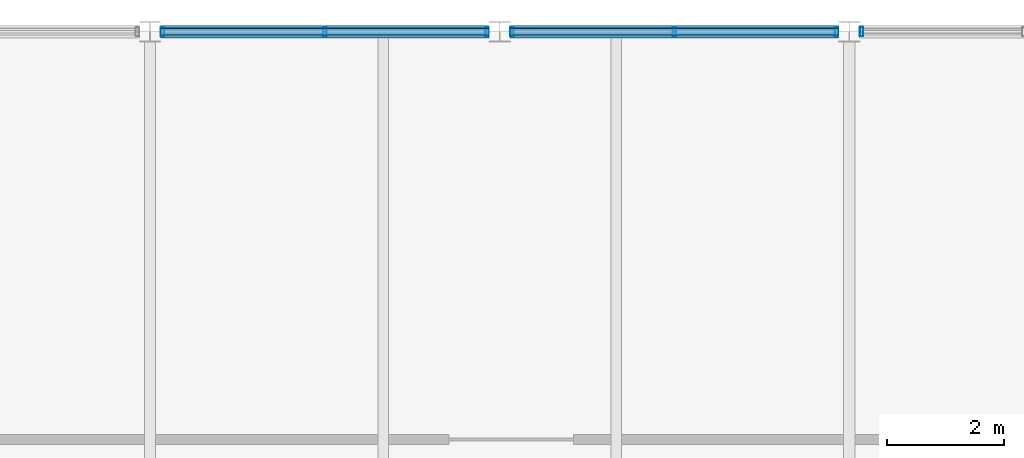
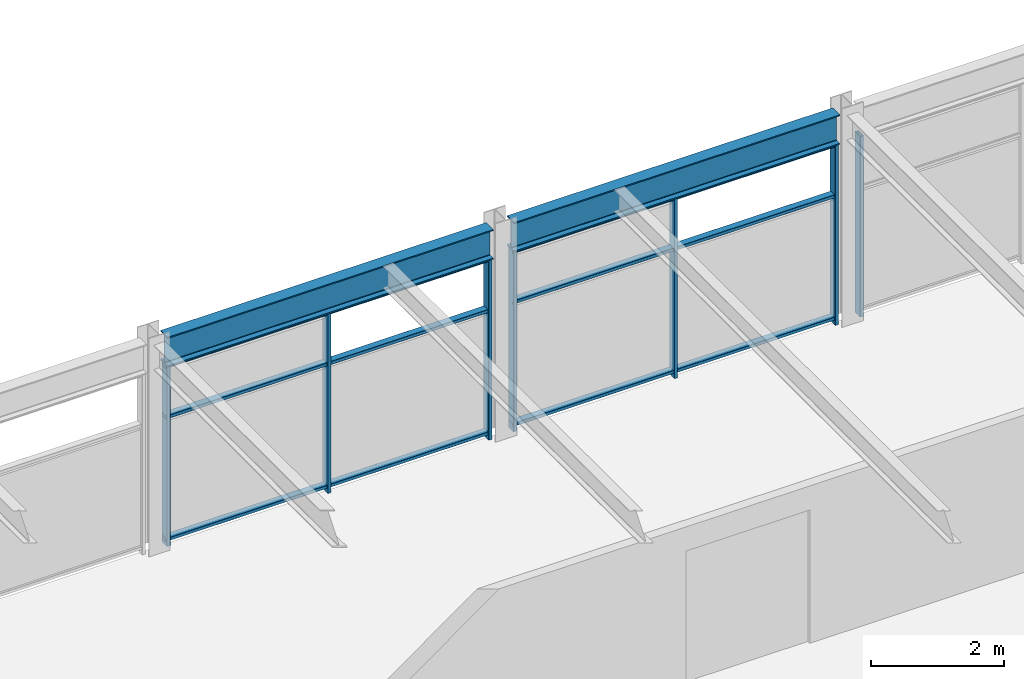
# One storey, part 23 of 40: 13 members, 2 beams, 3 elements without a shape of their own.
"""IFC4 building model written with IfcOpenShell, lengths in metres."""

from ifc_helpers import new_model, si_unit, direction, frame, origin, origin_2d, place, context, subcontext, project, spatial, hollow_rectangle, i_section, extrude, material, material_profile, profile_set, type_object, element, aggregate, save


model = new_model("IFC4")

# Units and contexts
model_context = context("Model", 3, precision=1e-05, world=origin(), true_north=direction((0.0, 1.0)))
body_context = subcontext(model_context, "Body", "Model", "MODEL_VIEW")
ifc_project = project(units=[si_unit("LENGTHUNIT", "METRE"), si_unit("AREAUNIT", "SQUARE_METRE"), si_unit("VOLUMEUNIT", "CUBIC_METRE"), si_unit("PLANEANGLEUNIT", "RADIAN"), si_unit("MASSUNIT", "GRAM", prefix="KILO")], contexts=[model_context])

# Site, building, storey
site_placement = place(None, origin())
site = spatial("IfcSite", under=ifc_project, at=site_placement, CompositionType="ELEMENT")
building_placement = place(site_placement, origin())
building = spatial("IfcBuilding", under=site, at=building_placement, Name="Girod Span Mobility Hub", CompositionType="ELEMENT")
storey_placement = place(building_placement, frame((0.0, 0.0, 57.60009765625)))
storey = spatial("IfcBuildingStorey", under=building, at=storey_placement, Name="L14", CompositionType="ELEMENT", Elevation=57.60009765625)

# Beams
ifc_material_1 = material(Name="Steel A992 Grade 50", Category="steel")
ifc_material_profile_1 = material_profile(ifc_material_1, i_section(OverallWidth=0.2119140625, OverallDepth=0.5439453125, WebThickness=0.01318359375, FlangeThickness=0.021240234375, FilletRadius=0.014892578125, at=origin_2d()), Name="W21X83")
ifc_profile_set_1 = profile_set([ifc_material_profile_1], Name="Steel A992 Grade 50")
beam_type = type_object("IfcBeamType", Name="BM-STL-W21X83", PredefinedType="SPANDREL", material=ifc_profile_set_1)
for number, where, z_axis, x_axis, name in (
    (1, (84.181396484375, 69.0, 3.577880859375), (1.0, 0.0, 0.0), (0.0, 1.0, 0.0), "Spandrel Beam 8-9/F-W L14"),
    (2, (90.181396484375, 69.0, 3.577880859375), (1.0, 0.0, 0.0), (0.0, 1.0, 0.0), "Spandrel Beam 8-9/F-E L14"),
):
    element("IfcBeam", number, at=place(storey_placement, frame(where, z_axis=z_axis, x_axis=x_axis)), inside=storey, type_object=beam_type, Name=name, PredefinedType="SPANDREL", context=body_context, shape_type="SweptSolid", body=[
        extrude(i_section(OverallWidth=0.2119140625, OverallDepth=0.5439453125, WebThickness=0.01318359375, FlangeThickness=0.021240234375, FilletRadius=0.014892578125, at=origin_2d()), origin(), (0.0, 0.0, 1.0), 5.63720703125),
    ])

# Curtain wall, members
ifc_material_2 = material(Name="Thermally Broken Anodised Aluminium", Category="aluminium")
curtain_wall_type = type_object("IfcCurtainWallType", Name="CW-564X331", PredefinedType="USERDEFINED", material=ifc_material_2)
curtain_wall_1_placement = place(storey_placement, origin())
curtain_wall_1 = element("IfcCurtainWall", 3, at=curtain_wall_1_placement, inside=storey, type_object=curtain_wall_type, Name="Unitised Curtain Wall CW-L14-N08W L14", ObjectType="UNITISED CURTAIN WALL", PredefinedType="USERDEFINED")
ifc_material_3 = material(Name="Thermally Broken Anodised Aluminium", Category="aluminium")
ifc_material_profile_2 = material_profile(ifc_material_3, hollow_rectangle(XDim=0.159912109375, YDim=0.06005859375, WallThickness=0.00341796875, InnerFilletRadius=0.00341796875, OuterFilletRadius=0.007080078125, at=origin_2d()), Name="CW-ML-60X160")
ifc_profile_set_2 = profile_set([ifc_material_profile_2], Name="Thermally Broken Anodised Aluminium")
member_type_1 = type_object("IfcMemberType", Name="CWM-ML-3", PredefinedType="MULLION", material=ifc_profile_set_2)
member_1_placement = place(storey_placement, frame((84.214599609375, 69.0, 0.0), z_axis=(0.0, 0.0, 1.0), x_axis=(0.0, 1.0, 0.0)))
member_1 = element("IfcMember", 4, at=member_1_placement, type_object=member_type_1, Name="Curtain Wall Mullion CW-L14-N08W-M0", PredefinedType="MULLION", context=body_context, shape_type="SweptSolid", body=[
    extrude(hollow_rectangle(XDim=0.159912109375, YDim=0.06005859375, WallThickness=0.00341796875, InnerFilletRadius=0.00341796875, OuterFilletRadius=0.007080078125, at=origin_2d()), origin(), (0.0, 0.0, 1.0), 3.305908203125),
])
member_2_placement = place(storey_placement, frame((87.0, 69.0, 0.0), z_axis=(0.0, 0.0, 1.0), x_axis=(0.0, 1.0, 0.0)))
member_2 = element("IfcMember", 5, at=member_2_placement, type_object=member_type_1, Name="Curtain Wall Mullion CW-L14-N08W-M1", PredefinedType="MULLION", context=body_context, shape_type="SweptSolid", body=[
    extrude(hollow_rectangle(XDim=0.159912109375, YDim=0.06005859375, WallThickness=0.00341796875, InnerFilletRadius=0.00341796875, OuterFilletRadius=0.007080078125, at=origin_2d()), origin(), (0.0, 0.0, 1.0), 3.305908203125),
])
member_3_placement = place(storey_placement, frame((89.785400390625, 69.0, 0.0), z_axis=(0.0, 0.0, 1.0), x_axis=(0.0, 1.0, 0.0)))
member_3 = element("IfcMember", 6, at=member_3_placement, type_object=member_type_1, Name="Curtain Wall Mullion CW-L14-N08W-M2", PredefinedType="MULLION", context=body_context, shape_type="SweptSolid", body=[
    extrude(hollow_rectangle(XDim=0.159912109375, YDim=0.06005859375, WallThickness=0.00341796875, InnerFilletRadius=0.00341796875, OuterFilletRadius=0.007080078125, at=origin_2d()), origin(), (0.0, 0.0, 1.0), 3.305908203125),
])

curtain_wall_2_placement = place(storey_placement, origin())
curtain_wall_2 = element("IfcCurtainWall", 7, at=curtain_wall_2_placement, inside=storey, type_object=curtain_wall_type, Name="Unitised Curtain Wall CW-L14-N08E L14", ObjectType="UNITISED CURTAIN WALL", PredefinedType="USERDEFINED")
member_4_placement = place(storey_placement, frame((90.214599609375, 69.0, 0.0), z_axis=(0.0, 0.0, 1.0), x_axis=(0.0, 1.0, 0.0)))
member_4 = element("IfcMember", 8, at=member_4_placement, type_object=member_type_1, Name="Curtain Wall Mullion CW-L14-N08E-M0", PredefinedType="MULLION", context=body_context, shape_type="SweptSolid", body=[
    extrude(hollow_rectangle(XDim=0.159912109375, YDim=0.06005859375, WallThickness=0.00341796875, InnerFilletRadius=0.00341796875, OuterFilletRadius=0.007080078125, at=origin_2d()), origin(), (0.0, 0.0, 1.0), 3.305908203125),
])
member_5_placement = place(storey_placement, frame((93.0, 69.0, 0.0), z_axis=(0.0, 0.0, 1.0), x_axis=(0.0, 1.0, 0.0)))
member_5 = element("IfcMember", 9, at=member_5_placement, type_object=member_type_1, Name="Curtain Wall Mullion CW-L14-N08E-M1", PredefinedType="MULLION", context=body_context, shape_type="SweptSolid", body=[
    extrude(hollow_rectangle(XDim=0.159912109375, YDim=0.06005859375, WallThickness=0.00341796875, InnerFilletRadius=0.00341796875, OuterFilletRadius=0.007080078125, at=origin_2d()), origin(), (0.0, 0.0, 1.0), 3.305908203125),
])
member_6_placement = place(storey_placement, frame((95.785400390625, 69.0, 0.0), z_axis=(0.0, 0.0, 1.0), x_axis=(0.0, 1.0, 0.0)))
member_6 = element("IfcMember", 10, at=member_6_placement, type_object=member_type_1, Name="Curtain Wall Mullion CW-L14-N08E-M2", PredefinedType="MULLION", context=body_context, shape_type="SweptSolid", body=[
    extrude(hollow_rectangle(XDim=0.159912109375, YDim=0.06005859375, WallThickness=0.00341796875, InnerFilletRadius=0.00341796875, OuterFilletRadius=0.007080078125, at=origin_2d()), origin(), (0.0, 0.0, 1.0), 3.305908203125),
])

# Curtain wall, member
curtain_wall_3_placement = place(storey_placement, origin())
curtain_wall_3 = element("IfcCurtainWall", 11, at=curtain_wall_3_placement, inside=storey, type_object=curtain_wall_type, Name="Unitised Curtain Wall CW-L14-N09W L14", ObjectType="UNITISED CURTAIN WALL", PredefinedType="USERDEFINED")
member_7_placement = place(storey_placement, frame((96.214599609375, 69.0, 0.0), z_axis=(0.0, 0.0, 1.0), x_axis=(0.0, 1.0, 0.0)))
member_7 = element("IfcMember", 12, at=member_7_placement, type_object=member_type_1, Name="Curtain Wall Mullion CW-L14-N09W-M0", PredefinedType="MULLION", context=body_context, shape_type="SweptSolid", body=[
    extrude(hollow_rectangle(XDim=0.159912109375, YDim=0.06005859375, WallThickness=0.00341796875, InnerFilletRadius=0.00341796875, OuterFilletRadius=0.007080078125, at=origin_2d()), origin(), (0.0, 0.0, 1.0), 3.305908203125),
])
aggregate(curtain_wall_3, [member_7])

# Member
ifc_material_4 = material(Name="Thermally Broken Anodised Aluminium", Category="aluminium")
ifc_material_profile_3 = material_profile(ifc_material_4, hollow_rectangle(XDim=0.1201171875, YDim=0.06005859375, WallThickness=0.00341796875, InnerFilletRadius=0.00341796875, OuterFilletRadius=0.007080078125, at=origin_2d()), Name="CW-TR-60X120")
ifc_profile_set_3 = profile_set([ifc_material_profile_3], Name="Thermally Broken Anodised Aluminium")
member_type_2 = type_object("IfcMemberType", Name="CWM-TR-3", PredefinedType="USERDEFINED", material=ifc_profile_set_3)
member_8_placement = place(storey_placement, frame((84.1826171875, 69.0, 0.10986328125), z_axis=(1.0, 0.0, 0.0), x_axis=(0.0, 1.0, 0.0)))
member_8 = element("IfcMember", 13, at=member_8_placement, type_object=member_type_2, Name="Curtain Wall Transom CW-L14-N08W-T1", ObjectType="TRANSOM", PredefinedType="USERDEFINED", context=body_context, shape_type="SweptSolid", body=[
    extrude(hollow_rectangle(XDim=0.1201171875, YDim=0.06005859375, WallThickness=0.00341796875, InnerFilletRadius=0.00341796875, OuterFilletRadius=0.007080078125, at=origin_2d()), origin(), (0.0, 0.0, 1.0), 5.634765625),
])

member_9_placement = place(storey_placement, frame((84.1826171875, 69.0, 2.35009765625), z_axis=(1.0, 0.0, 0.0), x_axis=(0.0, 1.0, 0.0)))
member_9 = element("IfcMember", 14, at=member_9_placement, type_object=member_type_2, Name="Curtain Wall Transom CW-L14-N08W-T2", ObjectType="TRANSOM", PredefinedType="USERDEFINED", context=body_context, shape_type="SweptSolid", body=[
    extrude(hollow_rectangle(XDim=0.1201171875, YDim=0.06005859375, WallThickness=0.00341796875, InnerFilletRadius=0.00341796875, OuterFilletRadius=0.007080078125, at=origin_2d()), origin(), (0.0, 0.0, 1.0), 5.634765625),
])

member_10_placement = place(storey_placement, frame((84.1826171875, 69.0, 3.27587890625), z_axis=(1.0, 0.0, 0.0), x_axis=(0.0, 1.0, 0.0)))
member_10 = element("IfcMember", 15, at=member_10_placement, type_object=member_type_2, Name="Curtain Wall Transom CW-L14-N08W-T3", ObjectType="TRANSOM", PredefinedType="USERDEFINED", context=body_context, shape_type="SweptSolid", body=[
    extrude(hollow_rectangle(XDim=0.1201171875, YDim=0.06005859375, WallThickness=0.00341796875, InnerFilletRadius=0.00341796875, OuterFilletRadius=0.007080078125, at=origin_2d()), origin(), (0.0, 0.0, 1.0), 5.634765625),
])

aggregate(curtain_wall_1, [member_1, member_2, member_3, member_8, member_9, member_10])

member_11_placement = place(storey_placement, frame((90.1826171875, 69.0, 0.10986328125), z_axis=(1.0, 0.0, 0.0), x_axis=(0.0, 1.0, 0.0)))
member_11 = element("IfcMember", 16, at=member_11_placement, type_object=member_type_2, Name="Curtain Wall Transom CW-L14-N08E-T1", ObjectType="TRANSOM", PredefinedType="USERDEFINED", context=body_context, shape_type="SweptSolid", body=[
    extrude(hollow_rectangle(XDim=0.1201171875, YDim=0.06005859375, WallThickness=0.00341796875, InnerFilletRadius=0.00341796875, OuterFilletRadius=0.007080078125, at=origin_2d()), origin(), (0.0, 0.0, 1.0), 5.634765625),
])

member_12_placement = place(storey_placement, frame((90.1826171875, 69.0, 2.35009765625), z_axis=(1.0, 0.0, 0.0), x_axis=(0.0, 1.0, 0.0)))
member_12 = element("IfcMember", 17, at=member_12_placement, type_object=member_type_2, Name="Curtain Wall Transom CW-L14-N08E-T2", ObjectType="TRANSOM", PredefinedType="USERDEFINED", context=body_context, shape_type="SweptSolid", body=[
    extrude(hollow_rectangle(XDim=0.1201171875, YDim=0.06005859375, WallThickness=0.00341796875, InnerFilletRadius=0.00341796875, OuterFilletRadius=0.007080078125, at=origin_2d()), origin(), (0.0, 0.0, 1.0), 5.634765625),
])

member_13_placement = place(storey_placement, frame((90.1826171875, 69.0, 3.27587890625), z_axis=(1.0, 0.0, 0.0), x_axis=(0.0, 1.0, 0.0)))
member_13 = element("IfcMember", 18, at=member_13_placement, type_object=member_type_2, Name="Curtain Wall Transom CW-L14-N08E-T3", ObjectType="TRANSOM", PredefinedType="USERDEFINED", context=body_context, shape_type="SweptSolid", body=[
    extrude(hollow_rectangle(XDim=0.1201171875, YDim=0.06005859375, WallThickness=0.00341796875, InnerFilletRadius=0.00341796875, OuterFilletRadius=0.007080078125, at=origin_2d()), origin(), (0.0, 0.0, 1.0), 5.634765625),
])

aggregate(curtain_wall_2, [member_4, member_5, member_6, member_11, member_12, member_13])

save(model, "model.ifc")
